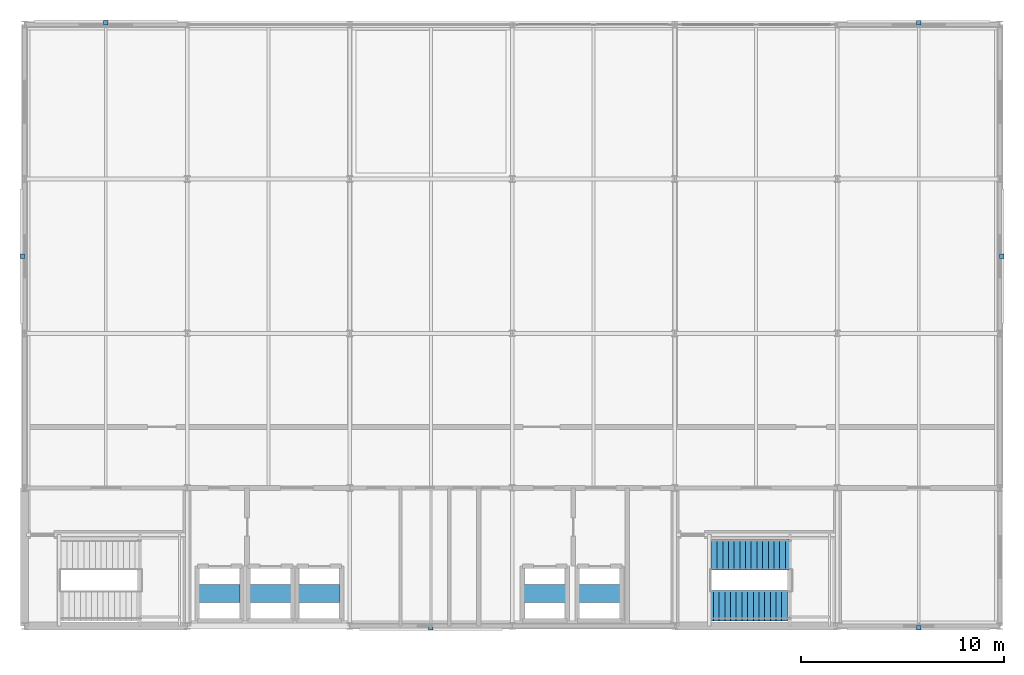
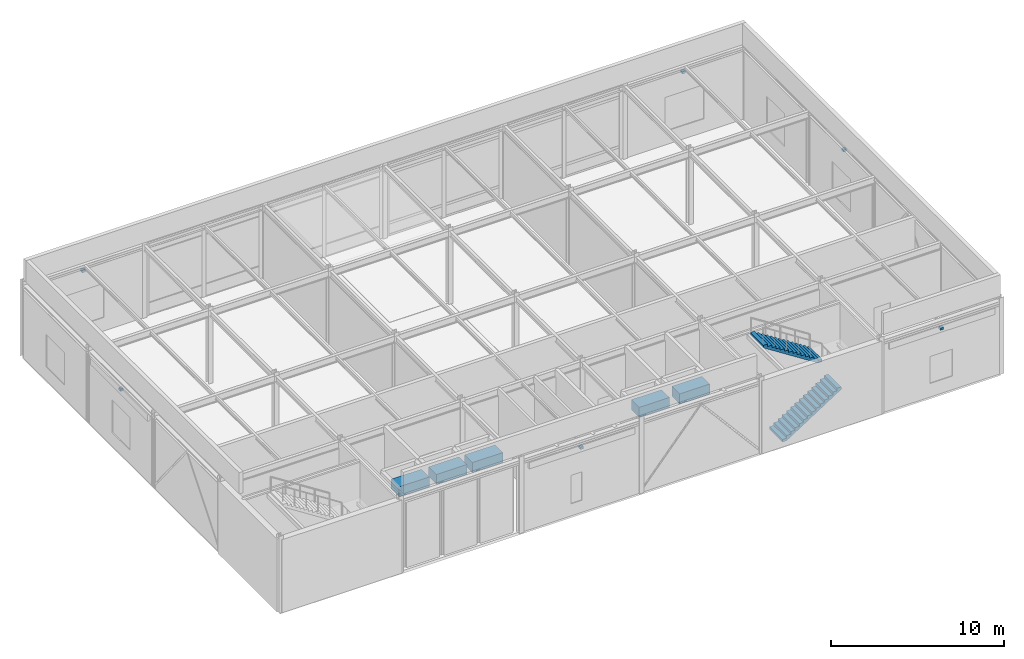
# One storey, part 11 of 12: 11 discrete accessories, 2 stair flights, 1 element without a shape of its own.
"""IFC4 building model written with IfcOpenShell, lengths in metres."""

from ifc_helpers import new_model, si_unit, direction, frame, origin, origin_2d, place, context, subcontext, project, spatial, polyline, rectangle, outline, extrude, material, type_object, element, aggregate, save


model = new_model("IFC4")

# Units and contexts
model_context = context("Model", 3, precision=1e-05, world=origin(), true_north=direction((0.0, 1.0)))
body_context = subcontext(model_context, "Body", "Model", "MODEL_VIEW")
ifc_project = project(units=[si_unit("LENGTHUNIT", "METRE"), si_unit("AREAUNIT", "SQUARE_METRE"), si_unit("VOLUMEUNIT", "CUBIC_METRE"), si_unit("PLANEANGLEUNIT", "RADIAN"), si_unit("MASSUNIT", "GRAM", prefix="KILO")], contexts=[model_context])

# Site, building, storey
site_placement = place(None, origin())
site = spatial("IfcSite", under=ifc_project, at=site_placement, CompositionType="ELEMENT")
building_placement = place(site_placement, origin())
building = spatial("IfcBuilding", under=site, at=building_placement, Name="Shalkamar Park Central Library", CompositionType="ELEMENT")
storey_placement = place(building_placement, frame((0.0, 0.0, 72.300048828125)))
storey = spatial("IfcBuildingStorey", under=building, at=storey_placement, Name="L18", CompositionType="ELEMENT", Elevation=72.300048828125)

# Stair, stair flights
ifc_material_1 = material(Name="Concrete C35/45", Category="concrete")
stair_type = type_object("IfcStairType", Name="Protected Dog Leg Stair 150x540", PredefinedType="TWO_STRAIGHT_RUN_STAIR", material=ifc_material_1)
stair_placement = place(storey_placement, origin())
stair = element("IfcStair", 1, at=stair_placement, inside=storey, type_object=stair_type, Name="Protected Core Stair ST-T2-L18", PredefinedType="TWO_STRAIGHT_RUN_STAIR")
stair_flight_type = type_object("IfcStairFlightType", Name="Straight Stair Flight 150x540", PredefinedType="STRAIGHT", material=ifc_material_1)
stair_flight_1_placement = place(storey_placement, frame((198.6201171875, 249.389892578125, 0.0), z_axis=(0.0, 0.0, 1.0), x_axis=(1.0, 0.0, 0.0)))
stair_flight_1 = element("IfcStairFlight", 2, at=stair_flight_1_placement, type_object=stair_flight_type, Name="ST-T2-L18 flight 1", NumberOfRisers=15, NumberOfTreads=14, PredefinedType="STRAIGHT", RiserHeight=0.18, TreadLength=0.28, context=body_context, shape_type="SweptSolid", body=[
    extrude(outline(polyline([(0.0, 0.0), (0.0, 0.179931640625), (0.280029296875, 0.179931640625), (0.280029296875, 0.360107421875), (0.56005859375, 0.360107421875), (0.56005859375, 0.5400390625), (0.840087890625, 0.5400390625), (0.840087890625, 0.719970703125), (1.1201171875, 0.719970703125), (1.1201171875, 0.89990234375), (1.39990234375, 0.89990234375), (1.39990234375, 1.080078125), (1.679931640625, 1.080078125), (1.679931640625, 1.260009765625), (1.9599609375, 1.260009765625), (1.9599609375, 1.43994140625), (2.239990234375, 1.43994140625), (2.239990234375, 1.6201171875), (2.52001953125, 1.6201171875), (2.52001953125, 1.800048828125), (2.800048828125, 1.800048828125), (2.800048828125, 1.97998046875), (3.080078125, 1.97998046875), (3.080078125, 2.159912109375), (3.360107421875, 2.159912109375), (3.360107421875, 2.340087890625), (3.639892578125, 2.340087890625), (3.639892578125, 2.52001953125), (3.919921875, 2.52001953125), (3.919921875, 2.699951171875), (3.919921875, 2.341796875), (0.277099609375, 0.0), (0.0, 0.0)])), frame((0.0, 0.75, 0.0), z_axis=(0.0, -1.0, 0.0), x_axis=(1.0, 0.0, 0.0)), (0.0, 0.0, 1.0), 1.5),
])
stair_flight_2_placement = place(storey_placement, frame((202.719970703125, 251.909912109375, 2.699951171875), z_axis=(0.0, 0.0, 1.0), x_axis=(-1.0, 0.0, 0.0)))
stair_flight_2 = element("IfcStairFlight", 3, at=stair_flight_2_placement, type_object=stair_flight_type, Name="ST-T2-L18 flight 2", NumberOfRisers=15, NumberOfTreads=14, PredefinedType="STRAIGHT", RiserHeight=0.18, TreadLength=0.28, context=body_context, shape_type="SweptSolid", body=[
    extrude(outline(polyline([(0.0, 0.0), (0.0, 0.179931640625), (0.280029296875, 0.179931640625), (0.280029296875, 0.360107421875), (0.56005859375, 0.360107421875), (0.56005859375, 0.5400390625), (0.840087890625, 0.5400390625), (0.840087890625, 0.719970703125), (1.1201171875, 0.719970703125), (1.1201171875, 0.89990234375), (1.39990234375, 0.89990234375), (1.39990234375, 1.080078125), (1.679931640625, 1.080078125), (1.679931640625, 1.260009765625), (1.9599609375, 1.260009765625), (1.9599609375, 1.43994140625), (2.239990234375, 1.43994140625), (2.239990234375, 1.6201171875), (2.52001953125, 1.6201171875), (2.52001953125, 1.800048828125), (2.800048828125, 1.800048828125), (2.800048828125, 1.97998046875), (3.080078125, 1.97998046875), (3.080078125, 2.159912109375), (3.360107421875, 2.159912109375), (3.360107421875, 2.340087890625), (3.639892578125, 2.340087890625), (3.639892578125, 2.52001953125), (3.919921875, 2.52001953125), (3.919921875, 2.699951171875), (3.919921875, 2.341796875), (0.277099609375, 0.0), (0.0, 0.0)])), frame((0.0, 0.75, 0.0), z_axis=(0.0, -1.0, 0.0), x_axis=(1.0, 0.0, 0.0)), (0.0, 0.0, 1.0), 1.5),
])
aggregate(stair, [stair_flight_1, stair_flight_2])

# Discrete accessories
ifc_material_2 = material(Name="Steel S355", Category="steel")
discrete_accessory_type_1 = type_object("IfcDiscreteAccessoryType", Name="Lift Hoistway Machine Unit", PredefinedType="BRACKET", material=ifc_material_2)
for number, where, z_axis, x_axis, name in (
    (4, (174.60009765625, 250.0, 4.35009765625), (0.0, 0.0, 1.0), (1.0, 0.0, 0.0), "Lift FFL-01 Traction Machine and Bedplate"),
    (5, (177.10009765625, 250.0, 4.35009765625), (0.0, 0.0, 1.0), (1.0, 0.0, 0.0), "Lift LT-01 Traction Machine and Bedplate"),
    (6, (179.5, 250.0, 4.35009765625), (0.0, 0.0, 1.0), (1.0, 0.0, 0.0), "Lift LT-02 Traction Machine and Bedplate"),
    (7, (190.60009765625, 250.0, 4.35009765625), (0.0, 0.0, 1.0), (1.0, 0.0, 0.0), "Lift FFL-02 Traction Machine and Bedplate"),
    (8, (193.300048828125, 250.0, 4.35009765625), (0.0, 0.0, 1.0), (1.0, 0.0, 0.0), "Lift LT-03 Traction Machine and Bedplate"),
):
    element("IfcDiscreteAccessory", number, at=place(storey_placement, frame(where, z_axis=z_axis, x_axis=x_axis)), inside=storey, type_object=discrete_accessory_type_1, Name=name, PredefinedType="BRACKET", context=body_context, shape_type="SweptSolid", body=[
        extrude(rectangle(XDim=2.02001953125, YDim=0.89990234375, at=origin_2d()), origin(), (0.0, 0.0, 1.0), 0.699951171875),
    ])
discrete_accessory_type_2 = type_object("IfcDiscreteAccessoryType", Name="Stainless Facade Bracket", PredefinedType="BRACKET", material=ifc_material_2)
for number, where, z_axis, x_axis, name in (
    (9, (185.0, 248.31005859375, 4.533203125), (0.0, 0.0, 1.0), (1.0, 0.0, 0.0), "Frieze Fixing Bracket L18-058"),
    (10, (209.0, 248.31005859375, 4.533203125), (0.0, 0.0, 1.0), (1.0, 0.0, 0.0), "Frieze Fixing Bracket L18-059"),
    (11, (169.0, 278.090087890625, 4.533203125), (0.0, 0.0, 1.0), (1.0, 0.0, 0.0), "Frieze Fixing Bracket L18-060"),
    (12, (209.0, 278.090087890625, 4.533203125), (0.0, 0.0, 1.0), (1.0, 0.0, 0.0), "Frieze Fixing Bracket L18-061"),
    (13, (164.909912109375, 266.60009765625, 4.57275390625), (0.0, 0.0, 1.0), (1.0, 0.0, 0.0), "Frieze Fixing Bracket L18-062"),
    (14, (213.090087890625, 266.60009765625, 4.57275390625), (0.0, 0.0, 1.0), (1.0, 0.0, 0.0), "Frieze Fixing Bracket L18-063"),
):
    element("IfcDiscreteAccessory", number, at=place(storey_placement, frame(where, z_axis=z_axis, x_axis=x_axis)), inside=storey, type_object=discrete_accessory_type_2, Name=name, PredefinedType="BRACKET", context=body_context, shape_type="SweptSolid", body=[
        extrude(rectangle(XDim=0.219970703125, YDim=0.219970703125, at=origin_2d()), origin(), (0.0, 0.0, 1.0), 0.159912109375),
    ])

save(model, "model.ifc")
